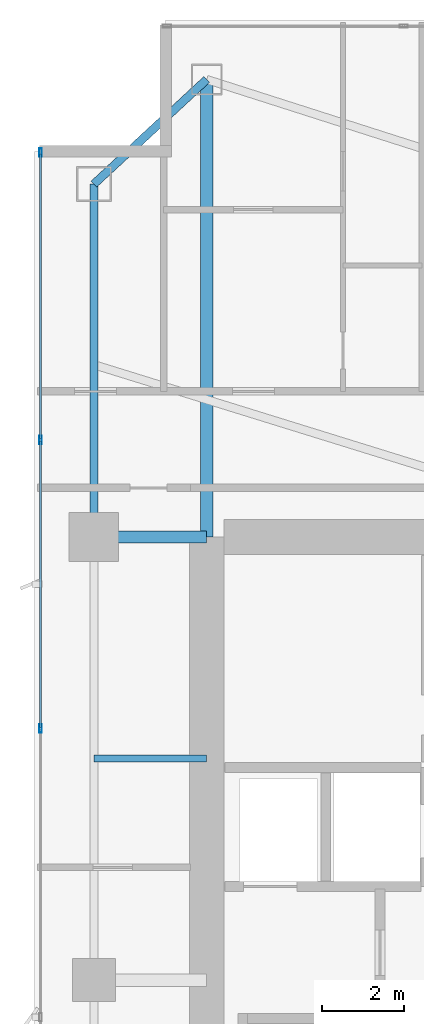
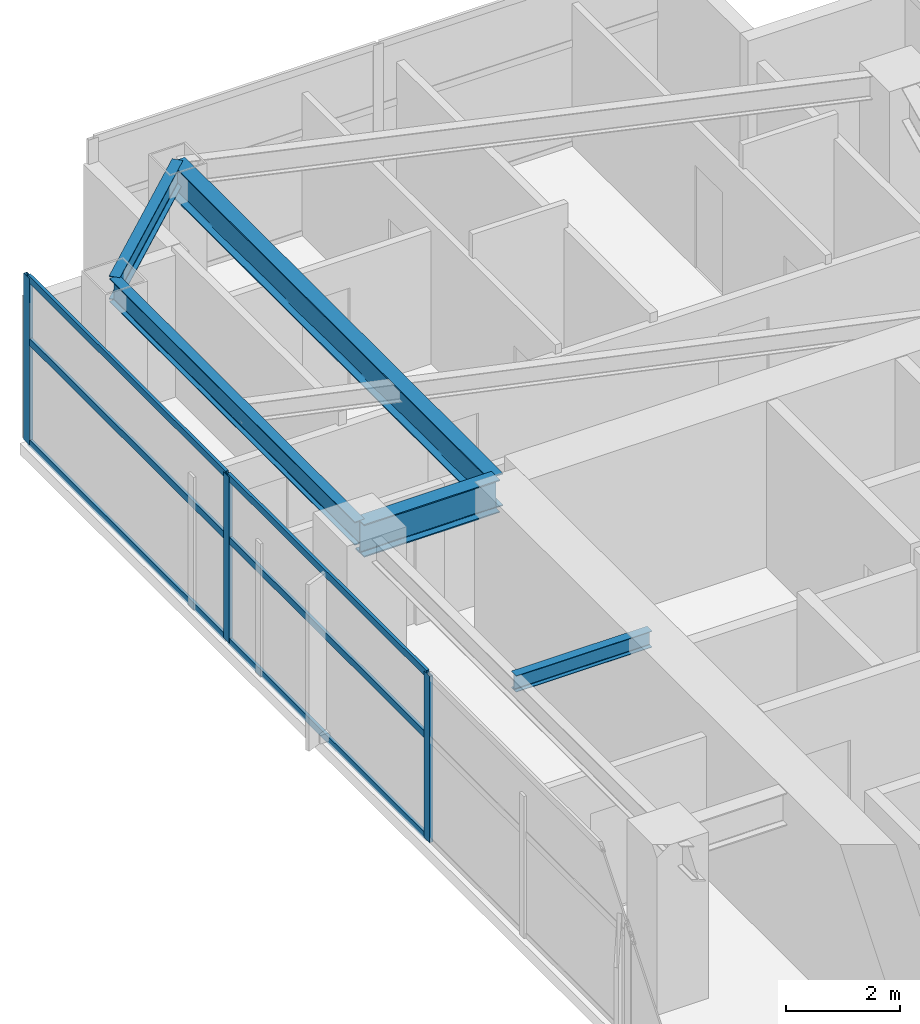
# One storey, part 16 of 29: 9 members, 5 beams, 1 element without a shape of its own.
"""IFC4 building model written with IfcOpenShell, lengths in metres."""

from ifc_helpers import new_model, si_unit, direction, frame, origin, origin_2d, place, context, subcontext, project, spatial, hollow_rectangle, i_section, extrude, material, layer, layer_set, material_profile, profile_set, type_object, element, aggregate, save


model = new_model("IFC4")

# Units and contexts
model_context = context("Model", 3, precision=1e-05, world=origin(), true_north=direction((0.0, 1.0)))
body_context = subcontext(model_context, "Body", "Model", "MODEL_VIEW")
ifc_project = project(units=[si_unit("LENGTHUNIT", "METRE"), si_unit("AREAUNIT", "SQUARE_METRE"), si_unit("VOLUMEUNIT", "CUBIC_METRE"), si_unit("PLANEANGLEUNIT", "RADIAN"), si_unit("MASSUNIT", "GRAM", prefix="KILO")], contexts=[model_context])

# Site, building, storey
site_placement = place(None, origin())
site = spatial("IfcSite", under=ifc_project, at=site_placement, CompositionType="ELEMENT")
building_placement = place(site_placement, origin())
building = spatial("IfcBuilding", under=site, at=building_placement, Name="Calvorn Quay Hotel", CompositionType="ELEMENT")
storey_placement = place(building_placement, frame((0.0, 0.0, 124.0)))
storey = spatial("IfcBuildingStorey", under=building, at=storey_placement, Name="L30", CompositionType="ELEMENT", Elevation=124.0)

# Beams
ifc_material_1 = material(Name="Steel Q390GJC", Category="steel")
ifc_material_profile_1 = material_profile(ifc_material_1, i_section(OverallWidth=0.300048828125, OverallDepth=0.699951171875, WebThickness=0.012939453125, FlangeThickness=0.02392578125, FilletRadius=0.02392578125, at=origin_2d()), Name="HN700x300x13x24")
ifc_profile_set_1 = profile_set([ifc_material_profile_1], Name="Steel Q390GJC")
beam_type_1 = type_object("IfcBeamType", Name="BM-GIRD-MAIN", PredefinedType="BEAM", material=ifc_profile_set_1)
beam_1_placement = place(storey_placement, frame((1.449951171875, 38.39990234375, 3.18994140625), z_axis=(1.0, 0.0, 0.0), x_axis=(0.0, 1.0, 0.0)))
element("IfcBeam", 1, at=beam_1_placement, inside=storey, type_object=beam_type_1, Name="Beam BG-L30-W3", PredefinedType="BEAM", context=body_context, shape_type="SweptSolid", body=[
    extrude(i_section(OverallWidth=0.300048828125, OverallDepth=0.699951171875, WebThickness=0.012939453125, FlangeThickness=0.02392578125, FilletRadius=0.02392578125, at=origin_2d()), origin(), (0.0, 0.0, 1.0), 2.75),
])
beam_2_placement = place(storey_placement, frame((4.199951171875, 49.550048828125, 3.18994140625), z_axis=(0.0, -1.0, 0.0), x_axis=(1.0, 0.0, 0.0)))
element("IfcBeam", 2, at=beam_2_placement, inside=storey, type_object=beam_type_1, Name="Beam BG-L30-W5", PredefinedType="BEAM", context=body_context, shape_type="SweptSolid", body=[
    extrude(i_section(OverallWidth=0.300048828125, OverallDepth=0.699951171875, WebThickness=0.012939453125, FlangeThickness=0.02392578125, FilletRadius=0.02392578125, at=origin_2d()), origin(), (0.0, 0.0, 1.0), 11.150146484375),
])
ifc_material_2 = material(Name="Steel Q355B", Category="steel")
ifc_material_profile_2 = material_profile(ifc_material_2, i_section(OverallWidth=0.175048828125, OverallDepth=0.35009765625, WebThickness=0.007080078125, FlangeThickness=0.010986328125, FilletRadius=0.013916015625, at=origin_2d()), Name="HN350x175x7x11")
ifc_profile_set_2 = profile_set([ifc_material_profile_2], Name="Steel Q355B")
beam_type_2 = type_object("IfcBeamType", Name="BM-JOIST-SEC", PredefinedType="JOIST", material=ifc_profile_set_2)
beam_3_placement = place(storey_placement, frame((1.449951171875, 33.0, 3.364990234375), z_axis=(1.0, 0.0, 0.0), x_axis=(0.0, 1.0, 0.0)))
element("IfcBeam", 3, at=beam_3_placement, inside=storey, type_object=beam_type_2, Name="Beam BJ-L30-W4", PredefinedType="JOIST", context=body_context, shape_type="SweptSolid", body=[
    extrude(i_section(OverallWidth=0.175048828125, OverallDepth=0.35009765625, WebThickness=0.007080078125, FlangeThickness=0.010986328125, FilletRadius=0.013916015625, at=origin_2d()), origin(), (0.0, 0.0, 1.0), 2.75),
])
ifc_material_3 = material(Name="Steel Q355B", Category="steel")
ifc_material_profile_3 = material_profile(ifc_material_3, i_section(OverallWidth=0.199951171875, OverallDepth=0.5, WebThickness=0.010009765625, FlangeThickness=0.01611328125, FilletRadius=0.01611328125, at=origin_2d()), Name="HN500x200x10x16")
ifc_profile_set_3 = profile_set([ifc_material_profile_3], Name="Steel Q355B")
beam_type_3 = type_object("IfcBeamType", Name="BM-SPANDREL-Z1", PredefinedType="SPANDREL", material=ifc_profile_set_3)
beam_4_placement = place(storey_placement, frame((1.449951171875, 38.39990234375, 3.2900390625), z_axis=(0.0, 1.0, 0.0), x_axis=(-1.0, 0.0, 0.0)))
element("IfcBeam", 4, at=beam_4_placement, inside=storey, type_object=beam_type_3, Name="Beam BSP-L30-W4", PredefinedType="SPANDREL", context=body_context, shape_type="SweptSolid", body=[
    extrude(i_section(OverallWidth=0.199951171875, OverallDepth=0.5, WebThickness=0.010009765625, FlangeThickness=0.01611328125, FilletRadius=0.01611328125, at=origin_2d()), origin(), (0.0, 0.0, 1.0), 8.60009765625),
])
beam_5_placement = place(storey_placement, frame((1.449951171875, 47.0, 3.2900390625), z_axis=(0.733261665538, 0.679946563969, 0.0), x_axis=(-0.679946563969, 0.733261665538, 0.0)))
element("IfcBeam", 5, at=beam_5_placement, inside=storey, type_object=beam_type_3, Name="Beam BSP-L30-W5", PredefinedType="SPANDREL", context=body_context, shape_type="SweptSolid", body=[
    extrude(i_section(OverallWidth=0.199951171875, OverallDepth=0.5, WebThickness=0.010009765625, FlangeThickness=0.01611328125, FilletRadius=0.01611328125, at=origin_2d()), origin(), (0.0, 0.0, 1.0), 3.75048828125),
])

# Curtain wall, members
ifc_material_4 = material(Name="Pale Anodised Aluminium and Low-E Glass", Category="aluminium")
ifc_layer = layer(ifc_material_4, 0.219970703125)
ifc_layer_set = layer_set([ifc_layer], Name="CW-SYS-Z2")
curtain_wall_type = type_object("IfcCurtainWallType", Name="CW-SYS-Z2", PredefinedType="NOTDEFINED", material=ifc_layer_set)
curtain_wall_placement = place(storey_placement, origin())
curtain_wall = element("IfcCurtainWall", 6, at=curtain_wall_placement, inside=storey, type_object=curtain_wall_type, Name="Tower West Curtain Wall (L30)", PredefinedType="NOTDEFINED")
ifc_material_5 = material(Name="Pale Anodised Aluminium 6063-T6", Category="aluminium")
ifc_material_profile_4 = material_profile(ifc_material_5, hollow_rectangle(XDim=0.070068359375, YDim=0.199951171875, WallThickness=0.00390625, at=origin_2d()), Name="ALU-M200x70x4")
ifc_profile_set_4 = profile_set([ifc_material_profile_4], Name="Pale Anodised Aluminium 6063-T6")
member_type_1 = type_object("IfcMemberType", Name="CW-SYS-Z2-MUL", PredefinedType="MULLION", material=ifc_profile_set_4)
member_1_placement = place(storey_placement, frame((0.14990234375, 33.7333984375, 0.0), z_axis=(0.0, 0.0, 1.0), x_axis=(-1.0, 0.0, 0.0)))
member_1 = element("IfcMember", 7, at=member_1_placement, type_object=member_type_1, Name="CW-L30-W mullion 5", PredefinedType="MULLION", context=body_context, shape_type="SweptSolid", body=[
    extrude(hollow_rectangle(XDim=0.070068359375, YDim=0.199951171875, WallThickness=0.00390625, at=origin_2d()), origin(), (0.0, 0.0, 1.0), 3.56005859375),
])
member_2_placement = place(storey_placement, frame((0.14990234375, 40.7666015625, 0.0), z_axis=(0.0, 0.0, 1.0), x_axis=(-1.0, 0.0, 0.0)))
member_2 = element("IfcMember", 8, at=member_2_placement, type_object=member_type_1, Name="CW-L30-W mullion 6", PredefinedType="MULLION", context=body_context, shape_type="SweptSolid", body=[
    extrude(hollow_rectangle(XDim=0.070068359375, YDim=0.199951171875, WallThickness=0.00390625, at=origin_2d()), origin(), (0.0, 0.0, 1.0), 3.56005859375),
])
member_3_placement = place(storey_placement, frame((0.14990234375, 47.77001953125, 0.0), z_axis=(0.0, 0.0, 1.0), x_axis=(-1.0, 0.0, 0.0)))
member_3 = element("IfcMember", 9, at=member_3_placement, type_object=member_type_1, Name="CW-L30-W mullion 7", PredefinedType="MULLION", context=body_context, shape_type="SweptSolid", body=[
    extrude(hollow_rectangle(XDim=0.070068359375, YDim=0.199951171875, WallThickness=0.00390625, at=origin_2d()), origin(), (0.0, 0.0, 1.0), 3.56005859375),
])
ifc_material_6 = material(Name="Pale Anodised Aluminium 6063-T6", Category="aluminium")
ifc_material_profile_5 = material_profile(ifc_material_6, hollow_rectangle(XDim=0.06005859375, YDim=0.14990234375, WallThickness=0.00341796875, at=origin_2d()), Name="ALU-T150x60x3.5")
ifc_profile_set_5 = profile_set([ifc_material_profile_5], Name="Pale Anodised Aluminium 6063-T6")
member_type_2 = type_object("IfcMemberType", Name="CW-SYS-Z2-TRN", PredefinedType="USERDEFINED", material=ifc_profile_set_5)
member_4_placement = place(storey_placement, frame((0.14990234375, 33.763427734375, 0.030029296875), z_axis=(0.0, 1.0, 0.0), x_axis=(-1.0, 0.0, 0.0)))
member_4 = element("IfcMember", 10, at=member_4_placement, type_object=member_type_2, Name="CW-L30-W transom 5.1", ObjectType="TRANSOM", PredefinedType="USERDEFINED", context=body_context, shape_type="SweptSolid", body=[
    extrude(hollow_rectangle(XDim=0.06005859375, YDim=0.14990234375, WallThickness=0.00341796875, at=origin_2d()), origin(), (0.0, 0.0, 1.0), 6.97314453125),
])
member_5_placement = place(storey_placement, frame((0.14990234375, 33.763427734375, 2.199951171875), z_axis=(0.0, 1.0, 0.0), x_axis=(-1.0, 0.0, 0.0)))
member_5 = element("IfcMember", 11, at=member_5_placement, type_object=member_type_2, Name="CW-L30-W transom 5.2", ObjectType="TRANSOM", PredefinedType="USERDEFINED", context=body_context, shape_type="SweptSolid", body=[
    extrude(hollow_rectangle(XDim=0.06005859375, YDim=0.14990234375, WallThickness=0.00341796875, at=origin_2d()), origin(), (0.0, 0.0, 1.0), 6.97314453125),
])
member_6_placement = place(storey_placement, frame((0.14990234375, 33.763427734375, 3.530029296875), z_axis=(0.0, 1.0, 0.0), x_axis=(-1.0, 0.0, 0.0)))
member_6 = element("IfcMember", 12, at=member_6_placement, type_object=member_type_2, Name="CW-L30-W transom 5.3", ObjectType="TRANSOM", PredefinedType="USERDEFINED", context=body_context, shape_type="SweptSolid", body=[
    extrude(hollow_rectangle(XDim=0.06005859375, YDim=0.14990234375, WallThickness=0.00341796875, at=origin_2d()), origin(), (0.0, 0.0, 1.0), 6.97314453125),
])
member_7_placement = place(storey_placement, frame((0.14990234375, 40.796630859375, 0.030029296875), z_axis=(0.0, 1.0, 0.0), x_axis=(-1.0, 0.0, 0.0)))
member_7 = element("IfcMember", 13, at=member_7_placement, type_object=member_type_2, Name="CW-L30-W transom 6.1", ObjectType="TRANSOM", PredefinedType="USERDEFINED", context=body_context, shape_type="SweptSolid", body=[
    extrude(hollow_rectangle(XDim=0.06005859375, YDim=0.14990234375, WallThickness=0.00341796875, at=origin_2d()), origin(), (0.0, 0.0, 1.0), 6.943359375),
])
member_8_placement = place(storey_placement, frame((0.14990234375, 40.796630859375, 2.199951171875), z_axis=(0.0, 1.0, 0.0), x_axis=(-1.0, 0.0, 0.0)))
member_8 = element("IfcMember", 14, at=member_8_placement, type_object=member_type_2, Name="CW-L30-W transom 6.2", ObjectType="TRANSOM", PredefinedType="USERDEFINED", context=body_context, shape_type="SweptSolid", body=[
    extrude(hollow_rectangle(XDim=0.06005859375, YDim=0.14990234375, WallThickness=0.00341796875, at=origin_2d()), origin(), (0.0, 0.0, 1.0), 6.943359375),
])
member_9_placement = place(storey_placement, frame((0.14990234375, 40.796630859375, 3.530029296875), z_axis=(0.0, 1.0, 0.0), x_axis=(-1.0, 0.0, 0.0)))
member_9 = element("IfcMember", 15, at=member_9_placement, type_object=member_type_2, Name="CW-L30-W transom 6.3", ObjectType="TRANSOM", PredefinedType="USERDEFINED", context=body_context, shape_type="SweptSolid", body=[
    extrude(hollow_rectangle(XDim=0.06005859375, YDim=0.14990234375, WallThickness=0.00341796875, at=origin_2d()), origin(), (0.0, 0.0, 1.0), 6.943359375),
])
aggregate(curtain_wall, [member_1, member_2, member_3, member_4, member_5, member_6, member_7, member_8, member_9])

save(model, "model.ifc")
